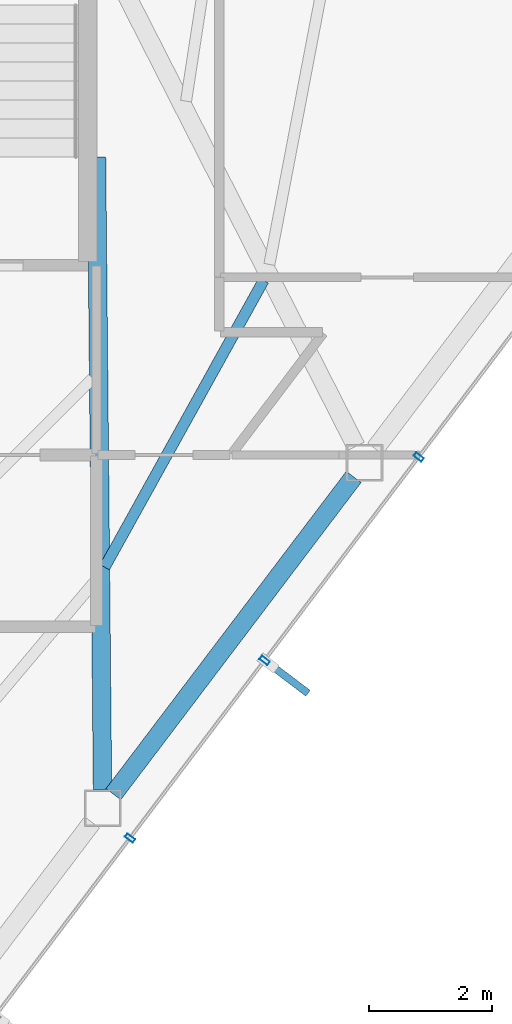
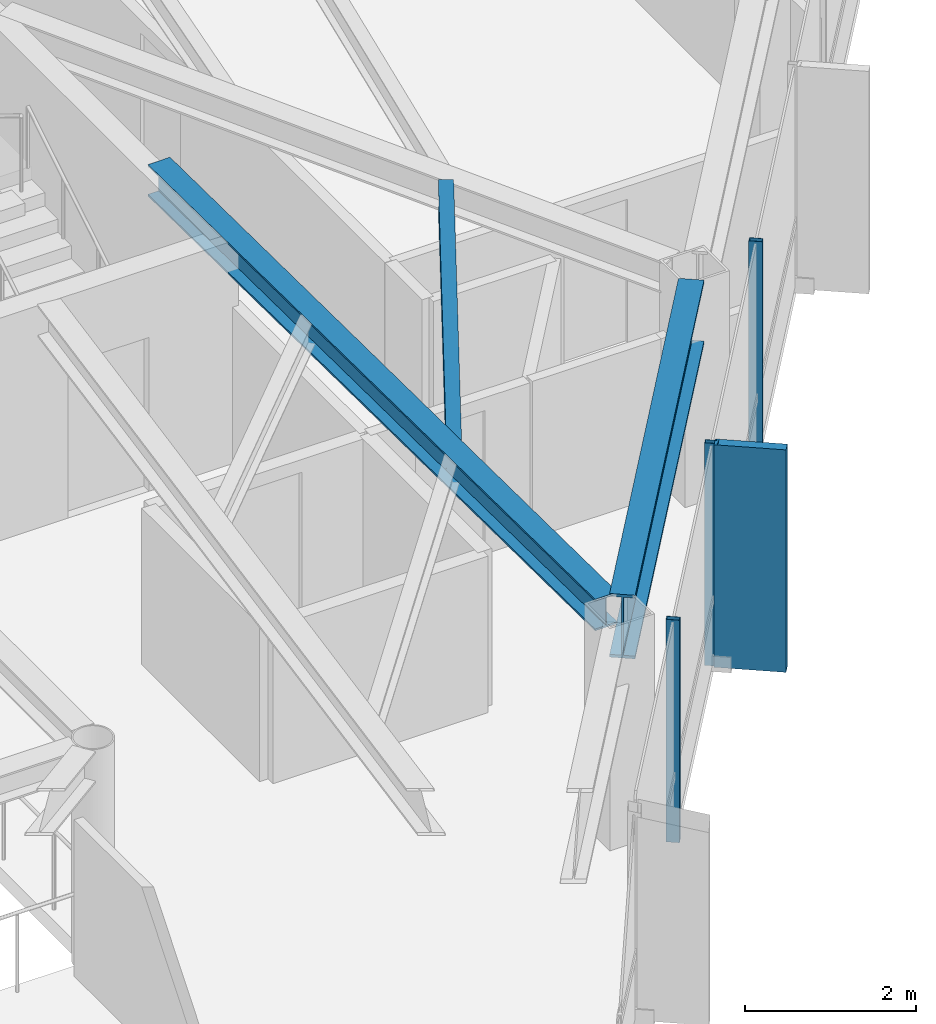
# One storey, part 17 of 28: 4 members, 3 beams, 1 element without a shape of its own.
"""IFC4 building model written with IfcOpenShell, lengths in metres."""

import ifcopenshell
import ifcopenshell.guid

model = None  # the IFC model being written
_history = None  # IfcOwnerHistory: only IFC2X3 demands one
_inside = {}  # id of a spatial element -> (the spatial element, [elements in it])
_under = {}  # id of a project, library or spatial element -> (it, [spatial elements below it])
_declared = {}  # id of a project -> (the project, [libraries it declares])
_typed = {}  # id of a type object -> (the type object, [elements of that type])
_made_of = {}  # id of a material, layer set ... -> (it, [elements and type objects made of it])


def new_model(schema):
    """Start an empty IFC model of exactly this schema.

    Asked for "IFC4X3", IfcOpenShell would pick the latest addendum, in which some entities
    have other attributes; the version numbers below select the first issue.
    IFC2X3 requires an IfcOwnerHistory on every rooted entity: one is made here for all.
    """
    global model, _history
    if schema == "IFC4X3":
        model = ifcopenshell.file(schema_version=(4, 3, 0, 0))
    else:
        model = ifcopenshell.file(schema=schema)
    _inside.clear()
    _under.clear()
    _declared.clear()
    _typed.clear()
    _made_of.clear()
    _history = None
    if model.schema == "IFC2X3":
        org = make("IfcOrganization", Name="unknown")
        user = make(
            "IfcPersonAndOrganization",
            ThePerson=make("IfcPerson", FamilyName="unknown"),
            TheOrganization=org,
        )
        app = make(
            "IfcApplication",
            ApplicationDeveloper=org,
            Version="unknown",
            ApplicationFullName="unknown",
            ApplicationIdentifier="unknown",
        )
        _history = make(
            "IfcOwnerHistory",
            OwningUser=user,
            OwningApplication=app,
            ChangeAction="ADDED",
            CreationDate=0,
        )
    return model


def make(cls, **values):
    """One entity of the class cls with the attributes given. An attribute that is None is left unset."""
    return model.create_entity(
        cls, **{name: value for name, value in values.items() if value is not None}
    )


def rooted(cls, **values):
    """An entity with a GlobalId (a new one), such as an element, a storey or a relation."""
    return make(cls, GlobalId=ifcopenshell.guid.new(), OwnerHistory=_history, **values)


def si_unit(unit_type, name, prefix=None):
    """IfcSIUnit, for example si_unit("LENGTHUNIT", "METRE", prefix="MILLI")."""
    return make("IfcSIUnit", UnitType=unit_type, Prefix=prefix, Name=name)


def assignment(units):
    """IfcUnitAssignment: the units of a project."""
    return None if units is None else make("IfcUnitAssignment", Units=units)


def point(xyz):
    """IfcCartesianPoint."""
    return None if xyz is None else make("IfcCartesianPoint", Coordinates=xyz)


def direction(xyz):
    """IfcDirection."""
    return None if xyz is None else make("IfcDirection", DirectionRatios=xyz)


def frame(location, z_axis=None, x_axis=None):
    """IfcAxis2Placement3D, a coordinate frame: its origin and axes. An axis left out is left unset."""
    return make(
        "IfcAxis2Placement3D",
        Location=point(location),
        Axis=direction(z_axis),
        RefDirection=direction(x_axis),
    )


def frame_2d(location, x_axis=None):
    """IfcAxis2Placement2D, a coordinate frame in the plane: its origin and x axis."""
    return make(
        "IfcAxis2Placement2D", Location=point(location), RefDirection=direction(x_axis)
    )


def origin():
    """The frame at (0, 0, 0) with its axes left unset."""
    return frame((0.0, 0.0, 0.0))


def origin_2d():
    """The frame at (0, 0) in the plane with its x axis left unset."""
    return frame_2d((0.0, 0.0))


def place(relative_to, where):
    """IfcLocalPlacement: puts the frame where relative to a parent placement (None: the world)."""
    return make(
        "IfcLocalPlacement", PlacementRelTo=relative_to, RelativePlacement=where
    )


def context(
    kind, dimensions, precision=None, world=None, true_north=None, identifier=None
):
    """IfcGeometricRepresentationContext, for example the 3D "Model" context."""
    return make(
        "IfcGeometricRepresentationContext",
        ContextIdentifier=identifier,
        ContextType=kind,
        CoordinateSpaceDimension=dimensions,
        Precision=precision,
        WorldCoordinateSystem=world,
        TrueNorth=true_north,
    )


def subcontext(parent, identifier, kind, view, scale=None):
    """IfcGeometricRepresentationSubContext, for example "Body" below "Model"."""
    return make(
        "IfcGeometricRepresentationSubContext",
        ContextIdentifier=identifier,
        ContextType=kind,
        ParentContext=parent,
        TargetScale=scale,
        TargetView=view,
    )


def project(units=None, contexts=None):
    """IfcProject with its units and contexts."""
    return rooted(
        "IfcProject",
        Name="project",
        RepresentationContexts=contexts,
        UnitsInContext=assignment(units),
    )


def spatial(cls, under=None, at=None, **own):
    """A site, building, storey or space (cls), placed at a placement, below another one or the project."""
    s = rooted(cls, ObjectPlacement=at, **own)
    if under is not None:
        _under.setdefault(under.id(), (under, []))[1].append(s)
    return s


def profile(cls, at=None, kind="AREA", **sizes):
    """A parametric profile (cls). Its sizes go by their IFC names, for example OverallWidth=200.0."""
    return make(cls, ProfileType=kind, Position=at, **sizes)


def rectangle(**sizes):
    """IfcRectangleProfileDef."""
    return profile("IfcRectangleProfileDef", **sizes)


def hollow_rectangle(**sizes):
    """IfcRectangleHollowProfileDef."""
    return profile("IfcRectangleHollowProfileDef", **sizes)


def i_section(**sizes):
    """IfcIShapeProfileDef."""
    return profile("IfcIShapeProfileDef", **sizes)


def extrude(swept, where, along, depth):
    """IfcExtrudedAreaSolid: the profile swept, set in the frame where, extruded along a direction by depth."""
    return make(
        "IfcExtrudedAreaSolid",
        SweptArea=swept,
        Position=where,
        ExtrudedDirection=direction(along),
        Depth=depth,
    )


def shape(context_of_items, identifier, shape_type, items):
    """IfcShapeRepresentation: the items that make up one representation, for example the "Body"."""
    return make(
        "IfcShapeRepresentation",
        ContextOfItems=context_of_items,
        RepresentationIdentifier=identifier,
        RepresentationType=shape_type,
        Items=items,
    )


def material(Name=None, Category=None):
    """IfcMaterial."""
    return make("IfcMaterial", Name=Name, Category=Category)


def layer(
    of_material, thickness, ventilated=None, Name=None, Category=None, Priority=None
):
    """IfcMaterialLayer: one layer of a wall or slab, of a material (None: an air gap)."""
    return make(
        "IfcMaterialLayer",
        Material=of_material,
        LayerThickness=thickness,
        IsVentilated=ventilated,
        Name=Name,
        Category=Category,
        Priority=Priority,
    )


def layer_set(layers, Name=None):
    """IfcMaterialLayerSet."""
    return make("IfcMaterialLayerSet", MaterialLayers=layers, LayerSetName=Name)


def material_profile(
    of_material, cross_section, Name=None, Category=None, Priority=None
):
    """IfcMaterialProfile: a cross section and its material."""
    return make(
        "IfcMaterialProfile",
        Name=Name,
        Material=of_material,
        Profile=cross_section,
        Priority=Priority,
        Category=Category,
    )


def profile_set(profiles, Name=None, composite=None):
    """IfcMaterialProfileSet."""
    return make(
        "IfcMaterialProfileSet",
        Name=Name,
        MaterialProfiles=profiles,
        CompositeProfile=composite,
    )


def made_of(thing, what):
    """Note that an element or type object is made of a material, layer set ...; save() writes the relation."""
    if what is not None:
        _made_of.setdefault(what.id(), (what, []))[1].append(thing)
    return thing


def type_object(cls, material=None, **own):
    """A type object (cls), such as IfcWallType, which elements share."""
    return made_of(rooted(cls, **own), material)


def element(
    cls,
    number,
    at=None,
    inside=None,
    cuts=None,
    type_object=None,
    material=None,
    context=None,
    identifier="Body",
    shape_type=None,
    held_by="IfcProductDefinitionShape",
    body=None,
    shapes=None,
    **own,
):
    """One element of the class cls, such as IfcWall. Its Tag is "e" and its number.

    at: its placement. inside: the storey or other place that contains it. cuts: it is an
    opening in that element (IfcRelVoidsElement). A single representation is given by context,
    identifier, shape_type and body (its items); several are given by shapes. held_by: the class
    of the entity that holds the representations. save() writes the other relations.
    """
    e = rooted(cls, Tag="e%d" % number, ObjectPlacement=at, **own)
    if body is not None:
        shapes = [shape(context, identifier, shape_type, body)]
    if shapes is not None:
        e.Representation = make(held_by, Representations=shapes)
    if inside is not None:
        _inside.setdefault(inside.id(), (inside, []))[1].append(e)
    if cuts is not None:
        rooted(
            "IfcRelVoidsElement", RelatingBuildingElement=cuts, RelatedOpeningElement=e
        )
    if type_object is not None:
        _typed.setdefault(type_object.id(), (type_object, []))[1].append(e)
    return made_of(e, material)


def aggregate(whole, parts):
    """IfcRelAggregates: a whole, such as a stair, and the parts it consists of."""
    return rooted("IfcRelAggregates", RelatingObject=whole, RelatedObjects=parts)


def save(model, path):
    """Write the relations noted so far, then the file.

    IfcRelAggregates (storeys below a building ...), IfcRelContainedInSpatialStructure (elements
    in a storey), IfcRelDefinesByType, IfcRelAssociatesMaterial and IfcRelDeclares: one each for
    every whole, place, type object, material and project.
    """
    for whole, parts in _under.values():
        aggregate(whole, parts)
    for where, things in _inside.values():
        rooted(
            "IfcRelContainedInSpatialStructure",
            RelatedElements=things,
            RelatingStructure=where,
        )
    for kind, things in _typed.values():
        rooted("IfcRelDefinesByType", RelatedObjects=things, RelatingType=kind)
    for what, things in _made_of.values():
        rooted("IfcRelAssociatesMaterial", RelatedObjects=things, RelatingMaterial=what)
    for by, libraries in _declared.values():
        rooted("IfcRelDeclares", RelatingContext=by, RelatedDefinitions=libraries)
    model.write(path)


model = new_model("IFC4")

# Units and contexts
model_context = context("Model", 3, precision=1e-05, world=origin(), true_north=direction((0.0, 1.0)))
body_context = subcontext(model_context, "Body", "Model", "MODEL_VIEW")
ifc_project = project(units=[si_unit("LENGTHUNIT", "METRE"), si_unit("AREAUNIT", "SQUARE_METRE"), si_unit("VOLUMEUNIT", "CUBIC_METRE"), si_unit("PLANEANGLEUNIT", "RADIAN"), si_unit("MASSUNIT", "GRAM", prefix="KILO")], contexts=[model_context])

# Site, building, storey
site_placement = place(None, origin())
site = spatial("IfcSite", under=ifc_project, at=site_placement, CompositionType="ELEMENT")
building_placement = place(site_placement, origin())
building = spatial("IfcBuilding", under=site, at=building_placement, Name="Zarrinselat Tower", CompositionType="ELEMENT")
storey_placement = place(building_placement, frame((0.0, 0.0, 218.9599609375)))
storey = spatial("IfcBuildingStorey", under=building, at=storey_placement, Name="L54", CompositionType="ELEMENT", Elevation=218.9599609375)

# Beams
ifc_material_1 = material(Name="Steel S355J2", Category="steel")
ifc_material_profile_1 = material_profile(ifc_material_1, i_section(OverallWidth=0.300048828125, OverallDepth=0.449951171875, WebThickness=0.013916015625, FlangeThickness=0.02587890625, at=origin_2d()), Name="HEB 450")
ifc_profile_set_1 = profile_set([ifc_material_profile_1], Name="Steel S355J2")
beam_type_1 = type_object("IfcBeamType", Name="BM-HEB450", PredefinedType="BEAM", material=ifc_profile_set_1)
beam_1_placement = place(storey_placement, frame((48.35009765625, 35.0, 2.955078125), z_axis=(0.009453657709, -0.99995531318, 0.0), x_axis=(0.99995531318, 0.009453657709, 0.0)))
element("IfcBeam", 1, at=beam_1_placement, inside=storey, type_object=beam_type_1, Name="L54 Radial Primary Girder RG12", PredefinedType="BEAM", context=body_context, shape_type="SweptSolid", body=[
    extrude(i_section(OverallWidth=0.300048828125, OverallDepth=0.449951171875, WebThickness=0.013916015625, FlangeThickness=0.02587890625, at=origin_2d()), origin(), (0.0, 0.0, 1.0), 10.30419921875),
])
ifc_material_2 = material(Name="Steel S460M", Category="steel")
ifc_material_profile_2 = material_profile(ifc_material_2, i_section(OverallWidth=0.302001953125, OverallDepth=0.909912109375, WebThickness=0.02099609375, FlangeThickness=0.0400390625, at=origin_2d()), Name="HEM 900")
ifc_profile_set_2 = profile_set([ifc_material_profile_2], Name="Steel S460M")
beam_type_2 = type_object("IfcBeamType", Name="BM-HEM900", PredefinedType="BEAM", material=ifc_profile_set_2)
beam_2_placement = place(storey_placement, frame((48.62451171875, 24.623779296875, 2.72509765625), z_axis=(0.603836664651, 0.797108074494, 0.0), x_axis=(-0.797108074494, 0.603836664651, 0.0)))
element("IfcBeam", 2, at=beam_2_placement, inside=storey, type_object=beam_type_2, Name="L54 Perimeter Spandrel Girder SP12", PredefinedType="BEAM", context=body_context, shape_type="SweptSolid", body=[
    extrude(i_section(OverallWidth=0.302001953125, OverallDepth=0.909912109375, WebThickness=0.02099609375, FlangeThickness=0.0400390625, at=origin_2d()), origin(), (0.0, 0.0, 1.0), 6.484130859375),
])
ifc_material_3 = material(Name="Steel S355J2", Category="steel")
ifc_material_profile_3 = material_profile(ifc_material_3, i_section(OverallWidth=0.179931640625, OverallDepth=0.39990234375, WebThickness=0.008544921875, FlangeThickness=0.013427734375, at=origin_2d()), Name="IPE 400")
ifc_profile_set_3 = profile_set([ifc_material_profile_3], Name="Steel S355J2")
beam_type_3 = type_object("IfcBeamType", Name="BM-IPE400", PredefinedType="JOIST", material=ifc_profile_set_3)
beam_3_placement = place(storey_placement, frame((48.482421875, 28.322021484375, 2.97998046875), z_axis=(0.484785015055, 0.874633345567, 0.0), x_axis=(-0.874633345567, 0.484785015055, 0.0)))
element("IfcBeam", 3, at=beam_3_placement, inside=storey, type_object=beam_type_3, Name="L54 Composite Floor Joist 4-1", PredefinedType="JOIST", context=body_context, shape_type="SweptSolid", body=[
    extrude(i_section(OverallWidth=0.179931640625, OverallDepth=0.39990234375, WebThickness=0.008544921875, FlangeThickness=0.013427734375, at=origin_2d()), origin(), (0.0, 0.0, 1.0), 5.34130859375),
])

# Curtain wall, members
ifc_material_4 = material(Name="Extruded Aluminium Alloy EN AW-6063 T6", Category="aluminium")
ifc_layer = layer(ifc_material_4, 0.169921875)
ifc_layer_set = layer_set([ifc_layer], Name="Extruded Aluminium Alloy EN AW-6063 T6")
curtain_wall_type = type_object("IfcCurtainWallType", Name="CWS-RES", PredefinedType="NOTDEFINED", material=ifc_layer_set)
curtain_wall_placement = place(storey_placement, origin())
curtain_wall = element("IfcCurtainWall", 4, at=curtain_wall_placement, inside=storey, type_object=curtain_wall_type, Name="L54 Unitised Curtain Wall CW-L54-E05", PredefinedType="NOTDEFINED")
ifc_material_5 = material(Name="Extruded Aluminium Alloy EN AW-6063 T6", Category="aluminium")
ifc_material_profile_4 = material_profile(ifc_material_5, hollow_rectangle(XDim=0.070068359375, YDim=0.159912109375, WallThickness=0.00390625, at=origin_2d()), Name="RHS 160x70x4")
ifc_profile_set_4 = profile_set([ifc_material_profile_4], Name="Extruded Aluminium Alloy EN AW-6063 T6")
member_type_1 = type_object("IfcMemberType", Name="MEM-CW-MUL2", PredefinedType="MULLION", material=ifc_profile_set_4)
member_1_placement = place(storey_placement, frame((48.896484375, 23.90673828125, 0.0), z_axis=(0.0, 0.0, 1.0), x_axis=(0.603859212041, 0.797090993572, 0.0)))
member_1 = element("IfcMember", 5, at=member_1_placement, type_object=member_type_1, Name="CW-L54-E05 Mullion 2", PredefinedType="MULLION", context=body_context, shape_type="SweptSolid", body=[
    extrude(hollow_rectangle(XDim=0.070068359375, YDim=0.159912109375, WallThickness=0.00390625, at=origin_2d()), origin(), (0.0, 0.0, 1.0), 3.179931640625),
])
member_2_placement = place(storey_placement, frame((51.08984375, 26.8017578125, 0.0), z_axis=(0.0, 0.0, 1.0), x_axis=(0.603859212041, 0.797090993572, 0.0)))
member_2 = element("IfcMember", 6, at=member_2_placement, type_object=member_type_1, Name="CW-L54-E05 Mullion 3", PredefinedType="MULLION", context=body_context, shape_type="SweptSolid", body=[
    extrude(hollow_rectangle(XDim=0.070068359375, YDim=0.159912109375, WallThickness=0.00390625, at=origin_2d()), origin(), (0.0, 0.0, 1.0), 3.179931640625),
])
member_3_placement = place(storey_placement, frame((53.598876953125, 30.11376953125, 0.0), z_axis=(0.0, 0.0, 1.0), x_axis=(0.603859212041, 0.797090993572, 0.0)))
member_3 = element("IfcMember", 7, at=member_3_placement, type_object=member_type_1, Name="CW-L54-E05 Mullion 4", PredefinedType="MULLION", context=body_context, shape_type="SweptSolid", body=[
    extrude(hollow_rectangle(XDim=0.070068359375, YDim=0.159912109375, WallThickness=0.00390625, at=origin_2d()), origin(), (0.0, 0.0, 1.0), 3.179931640625),
])
ifc_material_6 = material(Name="Honed Cream Travertine Stone", Category="masonry")
ifc_material_profile_5 = material_profile(ifc_material_6, rectangle(XDim=0.1201171875, YDim=0.85009765625, at=origin_2d()), Name="FIN 850x120")
ifc_profile_set_5 = profile_set([ifc_material_profile_5], Name="Honed Cream Travertine Stone")
member_type_2 = type_object("IfcMemberType", Name="MEM-STONE-FIN", PredefinedType="USERDEFINED", material=ifc_profile_set_5)
member_4_placement = place(storey_placement, frame((51.45654296875, 26.52392578125, 0.0), z_axis=(0.0, 0.0, 1.0), x_axis=(-0.603859212041, -0.797090993572, 0.0)))
member_4 = element("IfcMember", 8, at=member_4_placement, type_object=member_type_2, Name="L54 Stone Shading Fin CW-L54-E05-03", ObjectType="FIN", PredefinedType="USERDEFINED", context=body_context, shape_type="SweptSolid", body=[
    extrude(rectangle(XDim=0.1201171875, YDim=0.85009765625, at=origin_2d()), origin(), (0.0, 0.0, 1.0), 3.179931640625),
])
aggregate(curtain_wall, [member_1, member_2, member_4, member_3])

save(model, "model.ifc")
